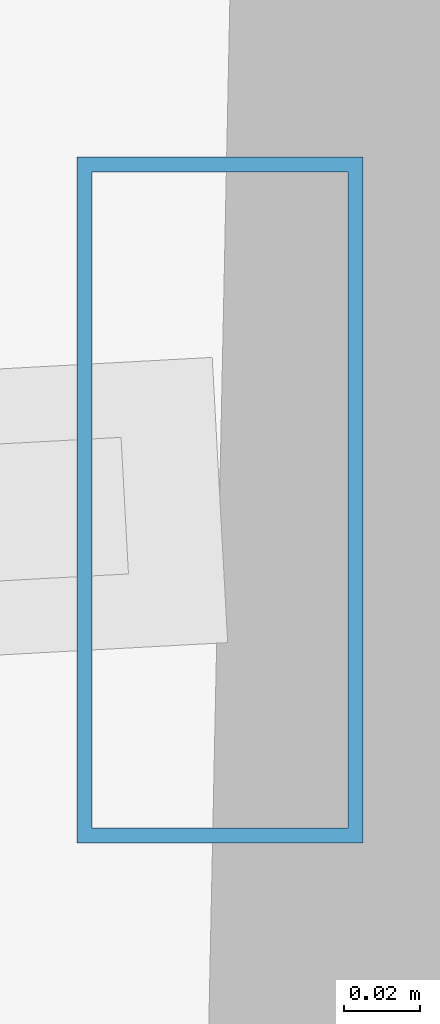
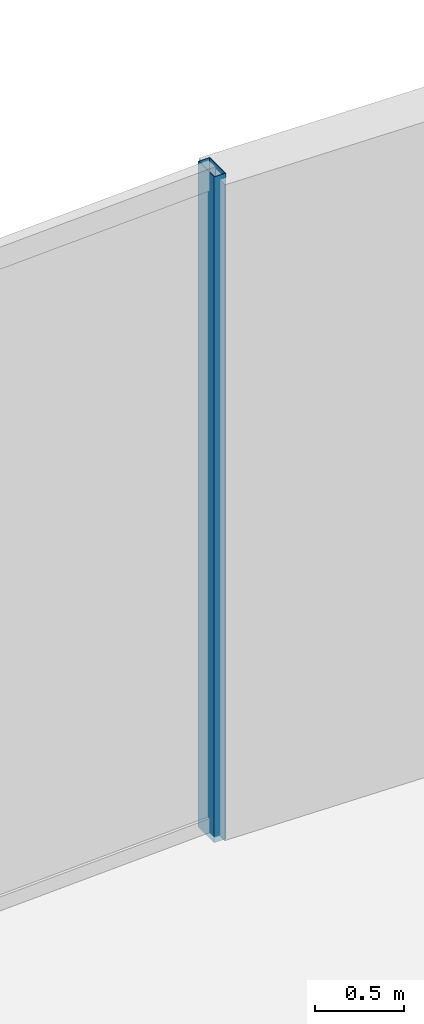
# One storey, part 19 of 30: 1 member, 1 element without a shape of its own.
"""IFC4 building model written with IfcOpenShell, lengths in metres."""

from ifc_helpers import new_model, si_unit, direction, frame, origin, origin_2d, place, context, subcontext, project, spatial, hollow_rectangle, extrude, material, material_profile, profile_set, type_object, element, aggregate, save


model = new_model("IFC4")

# Units and contexts
model_context = context("Model", 3, precision=1e-05, world=origin(), true_north=direction((0.0, 1.0)))
body_context = subcontext(model_context, "Body", "Model", "MODEL_VIEW")
ifc_project = project(units=[si_unit("LENGTHUNIT", "METRE"), si_unit("AREAUNIT", "SQUARE_METRE"), si_unit("VOLUMEUNIT", "CUBIC_METRE"), si_unit("PLANEANGLEUNIT", "RADIAN"), si_unit("MASSUNIT", "GRAM", prefix="KILO")], contexts=[model_context])

# Site, building, storey
site_placement = place(None, origin())
site = spatial("IfcSite", under=ifc_project, at=site_placement, CompositionType="ELEMENT")
building_placement = place(site_placement, origin())
building = spatial("IfcBuilding", under=site, at=building_placement, Name="Vorneva Point Tower", CompositionType="ELEMENT")
storey_placement = place(building_placement, frame((0.0, 0.0, 9.60009765625)))
storey = spatial("IfcBuildingStorey", under=building, at=storey_placement, Name="L02", CompositionType="ELEMENT", Elevation=9.60009765625)

# Curtain wall, member
ifc_material = material(Name="Pale anodised aluminium", Category="aluminium")
curtain_wall_type = type_object("IfcCurtainWallType", Name="CW-POD-SYS", PredefinedType="NOTDEFINED", material=ifc_material)
curtain_wall_placement = place(storey_placement, origin())
curtain_wall = element("IfcCurtainWall", 1, at=curtain_wall_placement, inside=storey, type_object=curtain_wall_type, Name="L02 Unitised Curtain Wall CW-L02-R02", PredefinedType="NOTDEFINED")
ifc_material_profile = material_profile(ifc_material, hollow_rectangle(XDim=0.074951171875, YDim=0.179931640625, WallThickness=0.00390625, at=origin_2d()), Name="AL-MUL 180x75x4")
ifc_profile_set = profile_set([ifc_material_profile], Name="Pale anodised aluminium")
member_type = type_object("IfcMemberType", Name="CW-MUL-180", PredefinedType="MULLION", material=ifc_profile_set)
member_placement = place(storey_placement, frame((38.0, 49.098388671875, -0.0400390625), z_axis=(0.0, 0.0, 1.0), x_axis=(1.0, 0.0, 0.0)))
member = element("IfcMember", 2, at=member_placement, type_object=member_type, Name="CW-L02-R02 Mullion 01", PredefinedType="MULLION", context=body_context, shape_type="SweptSolid", body=[
    extrude(hollow_rectangle(XDim=0.074951171875, YDim=0.179931640625, WallThickness=0.00390625, at=origin_2d()), origin(), (0.0, 0.0, 1.0), 4.550048828125),
])
aggregate(curtain_wall, [member])

save(model, "model.ifc")
